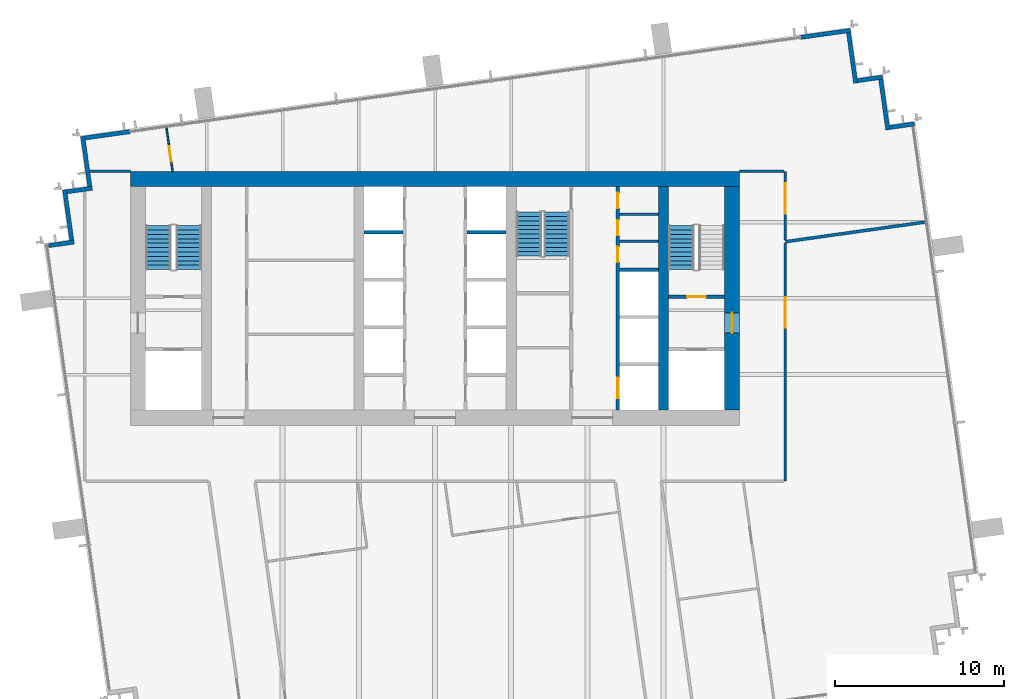
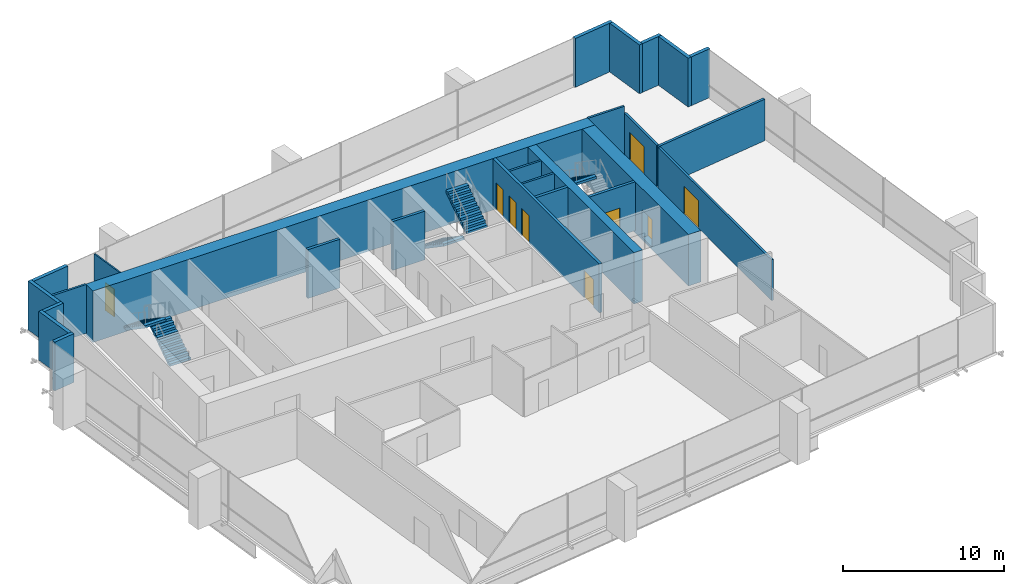
# One storey, part 11 of 13: 26 walls, 9 doors, 5 stair flights, 9 openings, 3 elements without a shape of their own.
"""IFC4 building model written with IfcOpenShell, lengths in metres."""

from ifc_helpers import new_model, si_unit, direction, frame, frame_2d, origin, place, context, subcontext, project, spatial, polyline, rectangle, outline, extrude, material, layer, layer_set, type_object, element, fill, aggregate, save


model = new_model("IFC4")

# Units and contexts
model_context = context("Model", 3, precision=1e-05, world=origin(), true_north=direction((0.0, 1.0)))
body_context = subcontext(model_context, "Body", "Model", "MODEL_VIEW")
ifc_project = project(units=[si_unit("LENGTHUNIT", "METRE"), si_unit("AREAUNIT", "SQUARE_METRE"), si_unit("VOLUMEUNIT", "CUBIC_METRE"), si_unit("PLANEANGLEUNIT", "RADIAN"), si_unit("MASSUNIT", "GRAM", prefix="KILO")], contexts=[model_context])

# Site, building, storey
site_placement = place(None, origin())
site = spatial("IfcSite", under=ifc_project, at=site_placement, CompositionType="ELEMENT")
building_placement = place(site_placement, origin())
building = spatial("IfcBuilding", under=site, at=building_placement, Name="Rattan Terrace Tower", CompositionType="ELEMENT")
storey_placement = place(building_placement, frame((0.0, 0.0, 217.39990234375)))
storey = spatial("IfcBuildingStorey", under=building, at=storey_placement, Name="L49", CompositionType="ELEMENT", Elevation=217.39990234375)

# Walls
ifc_material_1 = material(Name="Gypsum board partition")
ifc_layer_1 = layer(ifc_material_1, 0.14990234375)
ifc_layer_set_1 = layer_set([ifc_layer_1], Name="Core partition 150")
wall_type_1 = type_object("IfcWallType", Name="Core partition 150", PredefinedType="PARTITIONING", material=ifc_layer_set_1)
for number, where, z_axis, x_axis, name in (
    (1, (10.89990234375, 3.384033203125, 0.0), (0.0, 0.0, 1.0), (1.0, 0.0, 0.0), "Riser room wall"),
    (2, (10.89990234375, 4.968017578125, 0.0), (0.0, 0.0, 1.0), (1.0, 0.0, 0.0), "Riser room wall"),
):
    element("IfcWall", number, at=place(storey_placement, frame(where, z_axis=z_axis, x_axis=x_axis)), inside=storey, type_object=wall_type_1, Name=name, PredefinedType="PARTITIONING", context=body_context, shape_type="SweptSolid", body=[
        extrude(rectangle(XDim=2.300048828125, YDim=0.14990234375, at=frame_2d((1.14990234375, 0.0))), origin(), (0.0, 0.0, 1.0), 3.7001953125),
    ])

# Wall, opening, door
ifc_material_2 = material(Name="Gypsum board partition")
ifc_layer_2 = layer(ifc_material_2, 0.199951171875)
ifc_layer_set_2 = layer_set([ifc_layer_2], Name="Core partition 200")
wall_type_2 = type_object("IfcWallType", Name="Core partition 200", PredefinedType="PARTITIONING", material=ifc_layer_set_2)
wall_1_placement = place(storey_placement, frame((13.800048828125, 0.10009765625, 0.0), z_axis=(0.0, 0.0, 1.0), x_axis=(1.0, 0.0, 0.0)))
wall_1 = element("IfcWall", 3, at=wall_1_placement, inside=storey, type_object=wall_type_2, Name="Stair enclosure wall", PredefinedType="PARTITIONING", context=body_context, shape_type="SweptSolid", body=[
    extrude(rectangle(XDim=3.300048828125, YDim=0.199951171875, at=frame_2d((1.64990234375, 0.0))), origin(), (0.0, 0.0, 1.0), 3.7001953125),
])
opening_1_placement = place(wall_1_placement, frame((1.10009765625, 0.0, 0.0)))
opening_1 = element("IfcOpeningElement", 4, at=opening_1_placement, cuts=wall_1, Name="Opening L49-D004", PredefinedType="OPENING", context=body_context, shape_type="SweptSolid", body=[
    extrude(rectangle(XDim=1.10009765625, YDim=2.10009765625, at=frame_2d((0.550048828125, 1.050048828125))), frame((0.0, 0.110595703125, 0.0), z_axis=(0.0, -1.0, 0.0), x_axis=(1.0, 0.0, 0.0)), (0.0, 0.0, 1.0), 0.220947265625),
])
ifc_material_3 = material(Name="Hollow-metal fire door leaf")
door_type_1 = type_object("IfcDoorType", Name="Core stair door 1100", OperationType="NOTDEFINED", PredefinedType="DOOR", material=ifc_material_3)
door_1_placement = place(opening_1_placement, origin())
door_1 = element("IfcDoor", 5, at=door_1_placement, inside=storey, type_object=door_type_1, Name="Door L49-D004", OperationType="SINGLE_SWING_RIGHT", OverallHeight=2.10009765625, OverallWidth=1.10009765625, PredefinedType="DOOR", context=body_context, shape_type="SweptSolid", body=[
    extrude(rectangle(XDim=1.10009765625, YDim=2.10009765625, at=frame_2d((0.550048828125, 1.050048828125))), frame((0.0, 0.02490234375, 0.0), z_axis=(0.0, -1.0, 0.0), x_axis=(1.0, 0.0, 0.0)), (0.0, 0.0, 1.0), 0.050048828125),
])
fill(opening_1, door_1)

# Wall
ifc_material_4 = material(Name="Concrete C50/60", Category="concrete")
ifc_layer_3 = layer(ifc_material_4, 0.89990234375)
ifc_layer_set_3 = layer_set([ifc_layer_3], Name="Core ring wall 900 C50/60")
wall_type_3 = type_object("IfcWallType", Name="Core ring wall 900 C50/60", PredefinedType="SHEAR", material=ifc_layer_set_3)
wall_2_placement = place(storey_placement, frame((-18.0, 7.050048828125, -0.199951171875), z_axis=(0.0, 0.0, 1.0), x_axis=(1.0, 0.0, 0.0)))
element("IfcWall", 6, at=wall_2_placement, inside=storey, type_object=wall_type_3, Name="Rear core wall north", PredefinedType="SHEAR", context=body_context, shape_type="SweptSolid", body=[
    extrude(rectangle(XDim=36.0, YDim=0.89990234375, at=frame_2d((18.0, 0.0))), origin(), (0.0, 0.0, 1.0), 3.900146484375),
])

# Wall, opening, door
wall_3_placement = place(storey_placement, frame((17.550048828125, -6.60009765625, -0.199951171875), z_axis=(0.0, 0.0, 1.0), x_axis=(0.0, 1.0, 0.0)))
wall_3 = element("IfcWall", 7, at=wall_3_placement, inside=storey, type_object=wall_type_3, Name="Rear core wall east", PredefinedType="SHEAR", context=body_context, shape_type="SweptSolid", body=[
    extrude(rectangle(XDim=13.2001953125, YDim=0.89990234375, at=frame_2d((6.60009765625, 0.0))), origin(), (0.0, 0.0, 1.0), 3.900146484375),
])
opening_2_placement = place(wall_3_placement, frame((4.550048828125, 0.0, 0.199951171875)))
opening_2 = element("IfcOpeningElement", 8, at=opening_2_placement, cuts=wall_3, Name="Opening L49-D003", PredefinedType="OPENING", context=body_context, shape_type="SweptSolid", body=[
    extrude(rectangle(XDim=1.199951171875, YDim=2.10009765625, at=frame_2d((0.60009765625, 1.050048828125))), frame((0.0, 0.46044921875, 0.0), z_axis=(0.0, -1.0, 0.0), x_axis=(1.0, 0.0, 0.0)), (0.0, 0.0, 1.0), 0.9208984375),
])
ifc_material_5 = material(Name="Hollow-metal fire door leaf")
door_type_2 = type_object("IfcDoorType", Name="Core fire-fighting lobby door 1200", OperationType="NOTDEFINED", PredefinedType="DOOR", material=ifc_material_5)
door_2_placement = place(opening_2_placement, origin())
door_2 = element("IfcDoor", 9, at=door_2_placement, inside=storey, type_object=door_type_2, Name="Door L49-D003", OperationType="SINGLE_SWING_LEFT", OverallHeight=2.10009765625, OverallWidth=1.199951171875, PredefinedType="DOOR", context=body_context, shape_type="SweptSolid", body=[
    extrude(rectangle(XDim=1.199951171875, YDim=2.10009765625, at=frame_2d((0.60009765625, 1.050048828125))), frame((0.0, 0.02490234375, 0.0), z_axis=(0.0, -1.0, 0.0), x_axis=(1.0, 0.0, 0.0)), (0.0, 0.0, 1.0), 0.050048828125),
])
fill(opening_2, door_2)

# Walls
ifc_material_6 = material(Name="Concrete C50/60", Category="concrete")
ifc_layer_4 = layer(ifc_material_6, 0.60009765625)
ifc_layer_set_4 = layer_set([ifc_layer_4], Name="Core spine wall 600 C50/60")
wall_type_4 = type_object("IfcWallType", Name="Core spine wall 600 C50/60", PredefinedType="SHEAR", material=ifc_layer_set_4)
wall_4_placement = place(storey_placement, frame((13.5, -6.60009765625, -0.199951171875), z_axis=(0.0, 0.0, 1.0), x_axis=(0.0, 1.0, 0.0)))
element("IfcWall", 10, at=wall_4_placement, inside=storey, type_object=wall_type_4, Name="Core spine wall 4", PredefinedType="SHEAR", context=body_context, shape_type="SweptSolid", body=[
    extrude(rectangle(XDim=13.2001953125, YDim=0.60009765625, at=frame_2d((6.60009765625, 0.0))), origin(), (0.0, 0.0, 1.0), 3.900146484375),
])
ifc_material_7 = material(Name="Insulated aluminium-clad stud wall", Category="aluminium")
ifc_layer_5 = layer(ifc_material_7, 0.25)
ifc_layer_set_5 = layer_set([ifc_layer_5], Name="Facade Riser Wall 250")
wall_type_5 = type_object("IfcWallType", Name="Facade Riser Wall 250", PredefinedType="SOLIDWALL", material=ifc_layer_set_5)
wall_5_placement = place(storey_placement, frame((28.322265625, 10.308837890625, 0.0), z_axis=(0.0, 0.0, 1.0), x_axis=(-0.990235520307, -0.13940449893, 0.0)))
element("IfcWall", 11, at=wall_5_placement, inside=storey, type_object=wall_type_5, Name="Riser wall L49-6", PredefinedType="SOLIDWALL", context=body_context, shape_type="SweptSolid", body=[
    extrude(rectangle(XDim=1.474609375, YDim=0.25, at=frame_2d((0.7373046875, 0.0))), origin(), (0.0, 0.0, 1.0), 3.7001953125),
])
wall_6_placement = place(storey_placement, frame((26.755859375, 9.962158203125, 0.0), z_axis=(0.0, 0.0, 1.0), x_axis=(-0.139393225799, 0.990237107263, 0.0)))
element("IfcWall", 12, at=wall_6_placement, inside=storey, type_object=wall_type_5, Name="Riser wall L49-7", PredefinedType="SOLIDWALL", context=body_context, shape_type="SweptSolid", body=[
    extrude(rectangle(XDim=3.000244140625, YDim=0.25, at=frame_2d((1.5, 0.0))), origin(), (0.0, 0.0, 1.0), 3.7001953125),
])
wall_7_placement = place(storey_placement, frame((26.444091796875, 13.074462890625, 0.0), z_axis=(0.0, 0.0, 1.0), x_axis=(-0.990240434918, -0.139369584395, 0.0)))
element("IfcWall", 13, at=wall_7_placement, inside=storey, type_object=wall_type_5, Name="Riser wall L49-8", PredefinedType="SOLIDWALL", context=body_context, shape_type="SweptSolid", body=[
    extrude(rectangle(XDim=1.49951171875, YDim=0.25, at=frame_2d((0.749755859375, 0.0))), origin(), (0.0, 0.0, 1.0), 3.7001953125),
])
wall_8_placement = place(storey_placement, frame((24.852783203125, 12.72412109375, 0.0), z_axis=(0.0, 0.0, 1.0), x_axis=(-0.139302206688, 0.990249915532, 0.0)))
element("IfcWall", 14, at=wall_8_placement, inside=storey, type_object=wall_type_5, Name="Riser wall L49-9", PredefinedType="SOLIDWALL", context=body_context, shape_type="SweptSolid", body=[
    extrude(rectangle(XDim=3.00048828125, YDim=0.25, at=frame_2d((1.500244140625, 0.0))), origin(), (0.0, 0.0, 1.0), 3.7001953125),
])
wall_9_placement = place(storey_placement, frame((24.541015625, 15.83642578125, 0.0), z_axis=(0.0, 0.0, 1.0), x_axis=(-0.990285396533, -0.139049751574, 0.0)))
element("IfcWall", 15, at=wall_9_placement, inside=storey, type_object=wall_type_5, Name="Riser wall L49-10", PredefinedType="SOLIDWALL", context=body_context, shape_type="SweptSolid", body=[
    extrude(rectangle(XDim=2.955078125, YDim=0.25, at=frame_2d((1.4775390625, 0.0))), origin(), (0.0, 0.0, 1.0), 3.7001953125),
])
wall_10_placement = place(storey_placement, frame((-17.995361328125, 9.858642578125, 0.0), z_axis=(0.0, 0.0, 1.0), x_axis=(-0.99024510326, -0.139336411139, 0.0)))
element("IfcWall", 16, at=wall_10_placement, inside=storey, type_object=wall_type_5, Name="Riser wall L49-11", PredefinedType="SOLIDWALL", context=body_context, shape_type="SweptSolid", body=[
    extrude(rectangle(XDim=2.705322265625, YDim=0.25, at=frame_2d((1.3525390625, 0.0))), origin(), (0.0, 0.0, 1.0), 3.7001953125),
])
wall_11_placement = place(storey_placement, frame((-20.8154296875, 9.588134765625, 0.0), z_axis=(0.0, 0.0, 1.0), x_axis=(0.138983028379, -0.9902947631, 0.0)))
element("IfcWall", 17, at=wall_11_placement, inside=storey, type_object=wall_type_5, Name="Riser wall L49-12", PredefinedType="SOLIDWALL", context=body_context, shape_type="SweptSolid", body=[
    extrude(rectangle(XDim=3.000244140625, YDim=0.25, at=frame_2d((1.5, 0.0))), origin(), (0.0, 0.0, 1.0), 3.7001953125),
])
wall_12_placement = place(storey_placement, frame((-20.25732421875, 6.510498046875, 0.0), z_axis=(0.0, 0.0, 1.0), x_axis=(-0.990330117064, -0.138730887823, 0.0)))
element("IfcWall", 18, at=wall_12_placement, inside=storey, type_object=wall_type_5, Name="Riser wall L49-13", PredefinedType="SOLIDWALL", context=body_context, shape_type="SweptSolid", body=[
    extrude(rectangle(XDim=1.499267578125, YDim=0.25, at=frame_2d((0.74951171875, 0.0))), origin(), (0.0, 0.0, 1.0), 3.7001953125),
])
wall_13_placement = place(storey_placement, frame((-21.88330078125, 6.408935546875, 0.0), z_axis=(0.0, 0.0, 1.0), x_axis=(0.139324658755, -0.990246756855, 0.0)))
element("IfcWall", 19, at=wall_13_placement, inside=storey, type_object=wall_type_5, Name="Riser wall L49-14", PredefinedType="SOLIDWALL", context=body_context, shape_type="SweptSolid", body=[
    extrude(rectangle(XDim=3.0, YDim=0.25, at=frame_2d((1.5, 0.0))), origin(), (0.0, 0.0, 1.0), 3.7001953125),
])
wall_14_placement = place(storey_placement, frame((-21.32421875, 3.331787109375, 0.0), z_axis=(0.0, 0.0, 1.0), x_axis=(-0.990238641016, -0.139382329723, 0.0)))
element("IfcWall", 20, at=wall_14_placement, inside=storey, type_object=wall_type_5, Name="Riser wall L49-15", PredefinedType="SOLIDWALL", context=body_context, shape_type="SweptSolid", body=[
    extrude(rectangle(XDim=1.525634765625, YDim=0.25, at=frame_2d((0.7626953125, 0.0))), origin(), (0.0, 0.0, 1.0), 3.7001953125),
])
ifc_material_8 = material(Name="Double steel stud acoustic partition, gypsum board, mineral wool, fire rated", Category="steel")
ifc_layer_6 = layer(ifc_material_8, 0.179931640625)
ifc_layer_set_6 = layer_set([ifc_layer_6], Name="Floors Acoustic Party Wall 180")
wall_type_6 = type_object("IfcWallType", Name="Floors Acoustic Party Wall 180", PredefinedType="PARTITIONING", material=ifc_layer_set_6)
wall_15_placement = place(storey_placement, frame((20.699951171875, 3.35009765625, 0.0), z_axis=(0.0, 0.0, 1.0), x_axis=(0.990269965101, 0.139159606996, 0.0)))
element("IfcWall", 21, at=wall_15_placement, inside=storey, type_object=wall_type_6, Name="pt-L49-022", PredefinedType="PARTITIONING", context=body_context, shape_type="SweptSolid", body=[
    extrude(rectangle(XDim=8.328125, YDim=0.179931640625, at=frame_2d((4.1640625, 0.0))), origin(), (0.0, 0.0, 1.0), 3.150146484375),
])

# Wall, opening, door
ifc_material_9 = material(Name="Gypsum board partition on steel studs", Category="steel")
ifc_layer_7 = layer(ifc_material_9, 0.10009765625)
ifc_layer_set_7 = layer_set([ifc_layer_7], Name="Floors Partition 100")
wall_type_7 = type_object("IfcWallType", Name="Floors Partition 100", PredefinedType="PARTITIONING", material=ifc_layer_set_7)
wall_16_placement = place(storey_placement, frame((-15.50390625, 7.5, 0.0), z_axis=(0.0, 0.0, 1.0), x_axis=(-0.138928669032, 0.990302390647, 0.0)))
wall_16 = element("IfcWall", 22, at=wall_16_placement, inside=storey, type_object=wall_type_7, Name="pt-L49-024", PredefinedType="PARTITIONING", context=body_context, shape_type="SweptSolid", body=[
    extrude(rectangle(XDim=2.592041015625, YDim=0.10009765625, at=frame_2d((1.2958984375, 0.0))), origin(), (0.0, 0.0, 1.0), 3.7001953125),
])
opening_3_placement = place(wall_16_placement, frame((0.60791015625, 0.0, 0.0)))
opening_3 = element("IfcOpeningElement", 23, at=opening_3_placement, cuts=wall_16, Name="Opening L49-D105", PredefinedType="OPENING", context=body_context, shape_type="SweptSolid", body=[
    extrude(rectangle(XDim=0.89990234375, YDim=2.10009765625, at=frame_2d((0.449951171875, 1.050048828125))), frame((0.0, 0.060546875, 0.0), z_axis=(0.0, -1.0, 0.0), x_axis=(1.0, 0.0, 0.0)), (0.0, 0.0, 1.0), 0.12109375),
])
ifc_material_10 = material(Name="Solid core timber door, painted", Category="wood")
door_type_3 = type_object("IfcDoorType", Name="Floors Door 900x2100", OperationType="NOTDEFINED", PredefinedType="DOOR", material=ifc_material_10)
door_3_placement = place(opening_3_placement, origin())
door_3 = element("IfcDoor", 24, at=door_3_placement, inside=storey, type_object=door_type_3, Name="d-L49-105", OperationType="SINGLE_SWING_LEFT", OverallHeight=2.10009765625, OverallWidth=0.89990234375, PredefinedType="DOOR", context=body_context, shape_type="SweptSolid", body=[
    extrude(rectangle(XDim=0.89990234375, YDim=2.10009765625, at=frame_2d((0.449951171875, 1.050048828125))), frame((0.0, 0.02490234375, 0.0), z_axis=(0.0, -1.0, 0.0), x_axis=(1.0, 0.0, 0.0)), (0.0, 0.0, 1.0), 0.050048828125),
])
fill(opening_3, door_3)

ifc_material_11 = material(Name="Gypsum board partition on steel studs, fire rated", Category="steel")
ifc_layer_8 = layer(ifc_material_11, 0.14990234375)
ifc_layer_set_8 = layer_set([ifc_layer_8], Name="Floors Tenancy Wall 150")
wall_type_8 = type_object("IfcWallType", Name="Floors Tenancy Wall 150", PredefinedType="PARTITIONING", material=ifc_layer_set_8)
wall_17_placement = place(storey_placement, frame((20.699951171875, 3.260986328125, 0.0), z_axis=(0.0, 0.0, 1.0), x_axis=(0.0, -1.0, 0.0)))
wall_17 = element("IfcWall", 25, at=wall_17_placement, inside=storey, type_object=wall_type_8, Name="pt-L49-005", PredefinedType="PARTITIONING", context=body_context, shape_type="SweptSolid", body=[
    extrude(rectangle(XDim=14.06103515625, YDim=0.14990234375, at=frame_2d((7.030517578125, 0.0))), origin(), (0.0, 0.0, 1.0), 3.10009765625),
])
opening_4_placement = place(wall_17_placement, frame((3.18994140625, 0.0, 0.0)))
opening_4 = element("IfcOpeningElement", 26, at=opening_4_placement, cuts=wall_17, Name="Opening L49-D101", PredefinedType="OPENING", context=body_context, shape_type="SweptSolid", body=[
    extrude(rectangle(XDim=1.800048828125, YDim=2.10009765625, at=frame_2d((0.89990234375, 1.050048828125))), frame((0.0, 0.08544921875, 0.0), z_axis=(0.0, -1.0, 0.0), x_axis=(1.0, 0.0, 0.0)), (0.0, 0.0, 1.0), 0.1708984375),
])
ifc_material_12 = material(Name="Steel fire door set", Category="steel")
door_type_4 = type_object("IfcDoorType", Name="Floors Fire Door Pair FD30S 1800x2100", OperationType="NOTDEFINED", PredefinedType="DOOR", material=ifc_material_12)
door_4_placement = place(opening_4_placement, origin())
door_4 = element("IfcDoor", 27, at=door_4_placement, inside=storey, type_object=door_type_4, Name="d-L49-101", OperationType="DOUBLE_DOOR_SINGLE_SWING", OverallHeight=2.10009765625, OverallWidth=1.800048828125, PredefinedType="DOOR", context=body_context, shape_type="SweptSolid", body=[
    extrude(rectangle(XDim=1.800048828125, YDim=2.10009765625, at=frame_2d((0.89990234375, 1.050048828125))), frame((0.0, 0.02490234375, 0.0), z_axis=(0.0, -1.0, 0.0), x_axis=(1.0, 0.0, 0.0)), (0.0, 0.0, 1.0), 0.050048828125),
])
fill(opening_4, door_4)

# Wall
wall_18_placement = place(storey_placement, frame((18.0, 7.5009765625, 0.0), z_axis=(0.0, 0.0, 1.0), x_axis=(1.0, 0.0, 0.0)))
element("IfcWall", 28, at=wall_18_placement, inside=storey, type_object=wall_type_8, Name="pt-L49-009", PredefinedType="PARTITIONING", context=body_context, shape_type="SweptSolid", body=[
    extrude(rectangle(XDim=2.625, YDim=0.14990234375, at=frame_2d((1.3125, 0.0))), origin(), (0.0, 0.0, 1.0), 3.7001953125),
])

# Wall, opening, door
wall_19_placement = place(storey_placement, frame((20.699951171875, 7.5, 0.0), z_axis=(0.0, 0.0, 1.0), x_axis=(0.0, -1.0, 0.0)))
wall_19 = element("IfcWall", 29, at=wall_19_placement, inside=storey, type_object=wall_type_8, Name="pt-L49-010", PredefinedType="PARTITIONING", context=body_context, shape_type="SweptSolid", body=[
    extrude(rectangle(XDim=4.049072265625, YDim=0.14990234375, at=frame_2d((2.0244140625, 0.0))), origin(), (0.0, 0.0, 1.0), 3.150146484375),
])
opening_5_placement = place(wall_19_placement, frame((0.68701171875, 0.0, 0.0)))
opening_5 = element("IfcOpeningElement", 30, at=opening_5_placement, cuts=wall_19, Name="Opening L49-D104", PredefinedType="OPENING", context=body_context, shape_type="SweptSolid", body=[
    extrude(rectangle(XDim=1.800048828125, YDim=2.10009765625, at=frame_2d((0.89990234375, 1.050048828125))), frame((0.0, 0.08544921875, 0.0), z_axis=(0.0, -1.0, 0.0), x_axis=(1.0, 0.0, 0.0)), (0.0, 0.0, 1.0), 0.1708984375),
])
door_5_placement = place(opening_5_placement, origin())
door_5 = element("IfcDoor", 31, at=door_5_placement, inside=storey, type_object=door_type_4, Name="d-L49-104", OperationType="DOUBLE_DOOR_SINGLE_SWING", OverallHeight=2.10009765625, OverallWidth=1.800048828125, PredefinedType="DOOR", context=body_context, shape_type="SweptSolid", body=[
    extrude(rectangle(XDim=1.800048828125, YDim=2.10009765625, at=frame_2d((0.89990234375, 1.050048828125))), frame((0.0, 0.02490234375, 0.0), z_axis=(0.0, -1.0, 0.0), x_axis=(1.0, 0.0, 0.0)), (0.0, 0.0, 1.0), 0.050048828125),
])
fill(opening_5, door_5)

# Walls
wall_20_placement = place(storey_placement, frame((-20.430908203125, 7.5, 0.0), z_axis=(0.0, 0.0, 1.0), x_axis=(1.0, 0.0, 0.0)))
element("IfcWall", 32, at=wall_20_placement, inside=storey, type_object=wall_type_8, Name="pt-L49-011", PredefinedType="PARTITIONING", context=body_context, shape_type="SweptSolid", body=[
    extrude(rectangle(XDim=2.430908203125, YDim=0.14990234375, at=frame_2d((1.21533203125, 0.0))), origin(), (0.0, 0.0, 1.0), 3.7001953125),
])
ifc_material_13 = material(Name="Gypsum shaft wall system")
ifc_layer_9 = layer(ifc_material_13, 0.199951171875)
ifc_layer_set_9 = layer_set([ifc_layer_9], Name="Lift shaft wall 200")
wall_type_9 = type_object("IfcWallType", Name="Lift shaft wall 200", PredefinedType="PARTITIONING", material=ifc_layer_set_9)
for number, where, z_axis, x_axis, name in (
    (33, (-4.199951171875, 3.89990234375, 0.0), (0.0, 0.0, 1.0), (1.0, 0.0, 0.0), "Lift shaft wall"),
    (34, (1.89990234375, 3.89990234375, 0.0), (0.0, 0.0, 1.0), (1.0, 0.0, 0.0), "Lift shaft wall"),
):
    element("IfcWall", number, at=place(storey_placement, frame(where, z_axis=z_axis, x_axis=x_axis)), inside=storey, type_object=wall_type_9, Name=name, PredefinedType="PARTITIONING", context=body_context, shape_type="SweptSolid", body=[
        extrude(rectangle(XDim=2.300048828125, YDim=0.199951171875, at=frame_2d((1.14990234375, 0.0))), origin(), (0.0, 0.0, 1.0), 3.7001953125),
    ])

# Wall, openings, doors
wall_21_placement = place(storey_placement, frame((10.800048828125, -6.60009765625, 0.0), z_axis=(0.0, 0.0, 1.0), x_axis=(0.0, 1.0, 0.0)))
wall_21 = element("IfcWall", 35, at=wall_21_placement, inside=storey, type_object=wall_type_9, Name="Lift shaft front wall", PredefinedType="PARTITIONING", context=body_context, shape_type="SweptSolid", body=[
    extrude(rectangle(XDim=13.2001953125, YDim=0.199951171875, at=frame_2d((6.60009765625, 0.0))), origin(), (0.0, 0.0, 1.0), 3.7001953125),
])
opening_6_placement = place(wall_21_placement, frame((0.699951171875, 0.0, 0.0)))
opening_6 = element("IfcOpeningElement", 36, at=opening_6_placement, cuts=wall_21, Name="Opening L49-LD-SV1", PredefinedType="OPENING", context=body_context, shape_type="SweptSolid", body=[
    extrude(rectangle(XDim=1.199951171875, YDim=2.10009765625, at=frame_2d((0.60009765625, 1.050048828125))), frame((0.0, 0.110595703125, 0.0), z_axis=(0.0, -1.0, 0.0), x_axis=(1.0, 0.0, 0.0)), (0.0, 0.0, 1.0), 0.220947265625),
])
opening_7_placement = place(wall_21_placement, frame((8.741943359375, 0.0, 0.0)))
opening_7 = element("IfcOpeningElement", 37, at=opening_7_placement, cuts=wall_21, Name="Opening L49-D016", PredefinedType="OPENING", context=body_context, shape_type="SweptSolid", body=[
    extrude(rectangle(XDim=0.89990234375, YDim=2.10009765625, at=frame_2d((0.449951171875, 1.050048828125))), frame((0.0, 0.110595703125, 0.0), z_axis=(0.0, -1.0, 0.0), x_axis=(1.0, 0.0, 0.0)), (0.0, 0.0, 1.0), 0.220947265625),
])
opening_8_placement = place(wall_21_placement, frame((10.325927734375, 0.0, 0.0)))
opening_8 = element("IfcOpeningElement", 38, at=opening_8_placement, cuts=wall_21, Name="Opening L49-D017", PredefinedType="OPENING", context=body_context, shape_type="SweptSolid", body=[
    extrude(rectangle(XDim=0.89990234375, YDim=2.10009765625, at=frame_2d((0.449951171875, 1.050048828125))), frame((0.0, 0.110595703125, 0.0), z_axis=(0.0, -1.0, 0.0), x_axis=(1.0, 0.0, 0.0)), (0.0, 0.0, 1.0), 0.220947265625),
])
opening_9_placement = place(wall_21_placement, frame((11.93408203125, 0.0, 0.0)))
opening_9 = element("IfcOpeningElement", 39, at=opening_9_placement, cuts=wall_21, Name="Opening L49-D018", PredefinedType="OPENING", context=body_context, shape_type="SweptSolid", body=[
    extrude(rectangle(XDim=0.89990234375, YDim=2.10009765625, at=frame_2d((0.449951171875, 1.050048828125))), frame((0.0, 0.110595703125, 0.0), z_axis=(0.0, -1.0, 0.0), x_axis=(1.0, 0.0, 0.0)), (0.0, 0.0, 1.0), 0.220947265625),
])
ifc_material_14 = material(Name="Brushed stainless landing door panel")
door_type_5 = type_object("IfcDoorType", Name="Core lift landing door 1200", OperationType="DOUBLE_DOOR_SLIDING", PredefinedType="DOOR", material=ifc_material_14)
door_6_placement = place(opening_6_placement, origin())
door_6 = element("IfcDoor", 40, at=door_6_placement, inside=storey, type_object=door_type_5, Name="Door L49-LD-SV1", OperationType="DOUBLE_DOOR_SLIDING", OverallHeight=2.10009765625, OverallWidth=1.199951171875, PredefinedType="DOOR", context=body_context, shape_type="SweptSolid", body=[
    extrude(rectangle(XDim=1.199951171875, YDim=2.10009765625, at=frame_2d((0.60009765625, 1.050048828125))), frame((0.0, 0.02490234375, 0.0), z_axis=(0.0, -1.0, 0.0), x_axis=(1.0, 0.0, 0.0)), (0.0, 0.0, 1.0), 0.050048828125),
])
fill(opening_6, door_6)
ifc_material_15 = material(Name="Hollow-metal fire door leaf")
door_type_6 = type_object("IfcDoorType", Name="Core riser door 900", OperationType="NOTDEFINED", PredefinedType="DOOR", material=ifc_material_15)
door_7_placement = place(opening_7_placement, origin())
door_7 = element("IfcDoor", 41, at=door_7_placement, inside=storey, type_object=door_type_6, Name="Door L49-D016", OperationType="SINGLE_SWING_RIGHT", OverallHeight=2.10009765625, OverallWidth=0.89990234375, PredefinedType="DOOR", context=body_context, shape_type="SweptSolid", body=[
    extrude(rectangle(XDim=0.89990234375, YDim=2.10009765625, at=frame_2d((0.449951171875, 1.050048828125))), frame((0.0, 0.02490234375, 0.0), z_axis=(0.0, -1.0, 0.0), x_axis=(1.0, 0.0, 0.0)), (0.0, 0.0, 1.0), 0.050048828125),
])
fill(opening_7, door_7)
door_8_placement = place(opening_8_placement, origin())
door_8 = element("IfcDoor", 42, at=door_8_placement, inside=storey, type_object=door_type_6, Name="Door L49-D017", OperationType="SINGLE_SWING_LEFT", OverallHeight=2.10009765625, OverallWidth=0.89990234375, PredefinedType="DOOR", context=body_context, shape_type="SweptSolid", body=[
    extrude(rectangle(XDim=0.89990234375, YDim=2.10009765625, at=frame_2d((0.449951171875, 1.050048828125))), frame((0.0, 0.02490234375, 0.0), z_axis=(0.0, -1.0, 0.0), x_axis=(1.0, 0.0, 0.0)), (0.0, 0.0, 1.0), 0.050048828125),
])
fill(opening_8, door_8)
ifc_material_16 = material(Name="Hollow-metal fire door leaf")
door_type_7 = type_object("IfcDoorType", Name="Core service room door 900", OperationType="NOTDEFINED", PredefinedType="DOOR", material=ifc_material_16)
door_9_placement = place(opening_9_placement, origin())
door_9 = element("IfcDoor", 43, at=door_9_placement, inside=storey, type_object=door_type_7, Name="Door L49-D018", OperationType="SINGLE_SWING_RIGHT", OverallHeight=2.10009765625, OverallWidth=0.89990234375, PredefinedType="DOOR", context=body_context, shape_type="SweptSolid", body=[
    extrude(rectangle(XDim=0.89990234375, YDim=2.10009765625, at=frame_2d((0.449951171875, 1.050048828125))), frame((0.0, 0.02490234375, 0.0), z_axis=(0.0, -1.0, 0.0), x_axis=(1.0, 0.0, 0.0)), (0.0, 0.0, 1.0), 0.050048828125),
])
fill(opening_9, door_9)

# Wall
wall_22_placement = place(storey_placement, frame((10.89990234375, 1.699951171875, 0.0), z_axis=(0.0, 0.0, 1.0), x_axis=(1.0, 0.0, 0.0)))
element("IfcWall", 44, at=wall_22_placement, inside=storey, type_object=wall_type_9, Name="Lift shaft wall", PredefinedType="PARTITIONING", context=body_context, shape_type="SweptSolid", body=[
    extrude(rectangle(XDim=2.300048828125, YDim=0.199951171875, at=frame_2d((1.14990234375, 0.0))), origin(), (0.0, 0.0, 1.0), 3.7001953125),
])

# Stair, stair flights
ifc_material_17 = material(Name="Concrete C40/50", Category="concrete")
stair_type = type_object("IfcStairType", Name="Core exit stair 1500", PredefinedType="HALF_TURN_STAIR", material=ifc_material_17)
stair_1_placement = place(storey_placement, origin())
stair_1 = element("IfcStair", 45, at=stair_1_placement, inside=storey, type_object=stair_type, Name="L49 exit stair 1", PredefinedType="HALF_TURN_STAIR")
ifc_material_18 = material(Name="Concrete C40/50", Category="concrete")
stair_flight_type = type_object("IfcStairFlightType", Name="Core exit stair flight 1500", PredefinedType="STRAIGHT", material=ifc_material_18)
stair_flight_1_placement = place(storey_placement, frame((-14.550048828125, 1.699951171875, 0.0), z_axis=(0.0, 0.0, 1.0), x_axis=(0.0, 1.0, 0.0)))
stair_flight_1 = element("IfcStairFlight", 46, at=stair_flight_1_placement, type_object=stair_flight_type, Name="S1 flight 1", NumberOfRisers=11, NumberOfTreads=10, PredefinedType="STRAIGHT", RiserHeight=0.177272727, TreadLength=0.26, context=body_context, shape_type="SweptSolid", body=[
    extrude(outline(polyline([(0.0, 0.0), (0.0, 0.17724609375), (0.260009765625, 0.17724609375), (0.260009765625, 0.3544921875), (0.52001953125, 0.3544921875), (0.52001953125, 0.53173828125), (0.780029296875, 0.53173828125), (0.780029296875, 0.708984375), (1.0400390625, 0.708984375), (1.0400390625, 0.886474609375), (1.300048828125, 0.886474609375), (1.300048828125, 1.063720703125), (1.56005859375, 1.063720703125), (1.56005859375, 1.240966796875), (1.820068359375, 1.240966796875), (1.820068359375, 1.418212890625), (2.080078125, 1.418212890625), (2.080078125, 1.595458984375), (2.340087890625, 1.595458984375), (2.340087890625, 1.772705078125), (2.60009765625, 1.772705078125), (2.60009765625, 1.949951171875), (2.60009765625, 1.59130859375), (0.26611328125, 0.0), (0.0, 0.0)])), frame((0.0, 0.75, 0.0), z_axis=(0.0, -1.0, 0.0), x_axis=(1.0, 0.0, 0.0)), (0.0, 0.0, 1.0), 1.5),
])
stair_flight_2_placement = place(storey_placement, frame((-16.35009765625, 4.300048828125, 1.9501953125), z_axis=(0.0, 0.0, 1.0), x_axis=(0.0, -1.0, 0.0)))
stair_flight_2 = element("IfcStairFlight", 47, at=stair_flight_2_placement, type_object=stair_flight_type, Name="S1 flight 2", NumberOfRisers=11, NumberOfTreads=10, PredefinedType="STRAIGHT", RiserHeight=0.177272727, TreadLength=0.26, context=body_context, shape_type="SweptSolid", body=[
    extrude(outline(polyline([(0.0, 0.0), (0.0, 0.17724609375), (0.260009765625, 0.17724609375), (0.260009765625, 0.3544921875), (0.52001953125, 0.3544921875), (0.52001953125, 0.53173828125), (0.780029296875, 0.53173828125), (0.780029296875, 0.708984375), (1.0400390625, 0.708984375), (1.0400390625, 0.886474609375), (1.300048828125, 0.886474609375), (1.300048828125, 1.063720703125), (1.56005859375, 1.063720703125), (1.56005859375, 1.240966796875), (1.820068359375, 1.240966796875), (1.820068359375, 1.418212890625), (2.080078125, 1.418212890625), (2.080078125, 1.595458984375), (2.340087890625, 1.595458984375), (2.340087890625, 1.772705078125), (2.60009765625, 1.772705078125), (2.60009765625, 1.949951171875), (2.60009765625, 1.59130859375), (0.26611328125, 0.0), (0.0, 0.0)])), frame((0.0, 0.75, 0.0), z_axis=(0.0, -1.0, 0.0), x_axis=(1.0, 0.0, 0.0)), (0.0, 0.0, 1.0), 1.5),
])
aggregate(stair_1, [stair_flight_1, stair_flight_2])

# Stair, stair flight
stair_2_placement = place(storey_placement, origin())
stair_2 = element("IfcStair", 48, at=stair_2_placement, inside=storey, type_object=stair_type, Name="L49 exit stair 2", PredefinedType="HALF_TURN_STAIR")
stair_flight_3_placement = place(storey_placement, frame((14.550048828125, 4.300048828125, 1.9501953125), z_axis=(0.0, 0.0, 1.0), x_axis=(0.0, -1.0, 0.0)))
stair_flight_3 = element("IfcStairFlight", 49, at=stair_flight_3_placement, type_object=stair_flight_type, Name="S2 flight 2", NumberOfRisers=11, NumberOfTreads=10, PredefinedType="STRAIGHT", RiserHeight=0.177272727, TreadLength=0.26, context=body_context, shape_type="SweptSolid", body=[
    extrude(outline(polyline([(0.0, 0.0), (0.0, 0.17724609375), (0.260009765625, 0.17724609375), (0.260009765625, 0.3544921875), (0.52001953125, 0.3544921875), (0.52001953125, 0.53173828125), (0.780029296875, 0.53173828125), (0.780029296875, 0.708984375), (1.0400390625, 0.708984375), (1.0400390625, 0.886474609375), (1.300048828125, 0.886474609375), (1.300048828125, 1.063720703125), (1.56005859375, 1.063720703125), (1.56005859375, 1.240966796875), (1.820068359375, 1.240966796875), (1.820068359375, 1.418212890625), (2.080078125, 1.418212890625), (2.080078125, 1.595458984375), (2.340087890625, 1.595458984375), (2.340087890625, 1.772705078125), (2.60009765625, 1.772705078125), (2.60009765625, 1.949951171875), (2.60009765625, 1.59130859375), (0.26611328125, 0.0), (0.0, 0.0)])), frame((0.0, 0.75, 0.0), z_axis=(0.0, -1.0, 0.0), x_axis=(1.0, 0.0, 0.0)), (0.0, 0.0, 1.0), 1.5),
])
aggregate(stair_2, [stair_flight_3])

# Stair, stair flights
stair_3_placement = place(storey_placement, origin())
stair_3 = element("IfcStair", 50, at=stair_3_placement, inside=storey, type_object=stair_type, Name="L49 exit stair 3", PredefinedType="HALF_TURN_STAIR")
stair_flight_4_placement = place(storey_placement, frame((5.550048828125, 5.10009765625, 0.0), z_axis=(0.0, 0.0, 1.0), x_axis=(0.0, -1.0, 0.0)))
stair_flight_4 = element("IfcStairFlight", 51, at=stair_flight_4_placement, type_object=stair_flight_type, Name="S3 flight 1", NumberOfRisers=11, NumberOfTreads=10, PredefinedType="STRAIGHT", RiserHeight=0.177272727, TreadLength=0.26, context=body_context, shape_type="SweptSolid", body=[
    extrude(outline(polyline([(0.0, 0.0), (0.0, 0.17724609375), (0.260009765625, 0.17724609375), (0.260009765625, 0.3544921875), (0.52001953125, 0.3544921875), (0.52001953125, 0.53173828125), (0.780029296875, 0.53173828125), (0.780029296875, 0.708984375), (1.0400390625, 0.708984375), (1.0400390625, 0.886474609375), (1.300048828125, 0.886474609375), (1.300048828125, 1.063720703125), (1.56005859375, 1.063720703125), (1.56005859375, 1.240966796875), (1.820068359375, 1.240966796875), (1.820068359375, 1.418212890625), (2.080078125, 1.418212890625), (2.080078125, 1.595458984375), (2.340087890625, 1.595458984375), (2.340087890625, 1.772705078125), (2.60009765625, 1.772705078125), (2.60009765625, 1.949951171875), (2.60009765625, 1.59130859375), (0.26611328125, 0.0), (0.0, 0.0)])), frame((0.0, 0.75, 0.0), z_axis=(0.0, -1.0, 0.0), x_axis=(1.0, 0.0, 0.0)), (0.0, 0.0, 1.0), 1.5),
])
stair_flight_5_placement = place(storey_placement, frame((7.199951171875, 2.5, 1.9501953125), z_axis=(0.0, 0.0, 1.0), x_axis=(0.0, 1.0, 0.0)))
stair_flight_5 = element("IfcStairFlight", 52, at=stair_flight_5_placement, type_object=stair_flight_type, Name="S3 flight 2", NumberOfRisers=11, NumberOfTreads=10, PredefinedType="STRAIGHT", RiserHeight=0.177272727, TreadLength=0.26, context=body_context, shape_type="SweptSolid", body=[
    extrude(outline(polyline([(0.0, 0.0), (0.0, 0.17724609375), (0.260009765625, 0.17724609375), (0.260009765625, 0.3544921875), (0.52001953125, 0.3544921875), (0.52001953125, 0.53173828125), (0.780029296875, 0.53173828125), (0.780029296875, 0.708984375), (1.0400390625, 0.708984375), (1.0400390625, 0.886474609375), (1.300048828125, 0.886474609375), (1.300048828125, 1.063720703125), (1.56005859375, 1.063720703125), (1.56005859375, 1.240966796875), (1.820068359375, 1.240966796875), (1.820068359375, 1.418212890625), (2.080078125, 1.418212890625), (2.080078125, 1.595458984375), (2.340087890625, 1.595458984375), (2.340087890625, 1.772705078125), (2.60009765625, 1.772705078125), (2.60009765625, 1.949951171875), (2.60009765625, 1.59130859375), (0.26611328125, 0.0), (0.0, 0.0)])), frame((0.0, 0.75, 0.0), z_axis=(0.0, -1.0, 0.0), x_axis=(1.0, 0.0, 0.0)), (0.0, 0.0, 1.0), 1.5),
])
aggregate(stair_3, [stair_flight_4, stair_flight_5])

save(model, "model.ifc")
